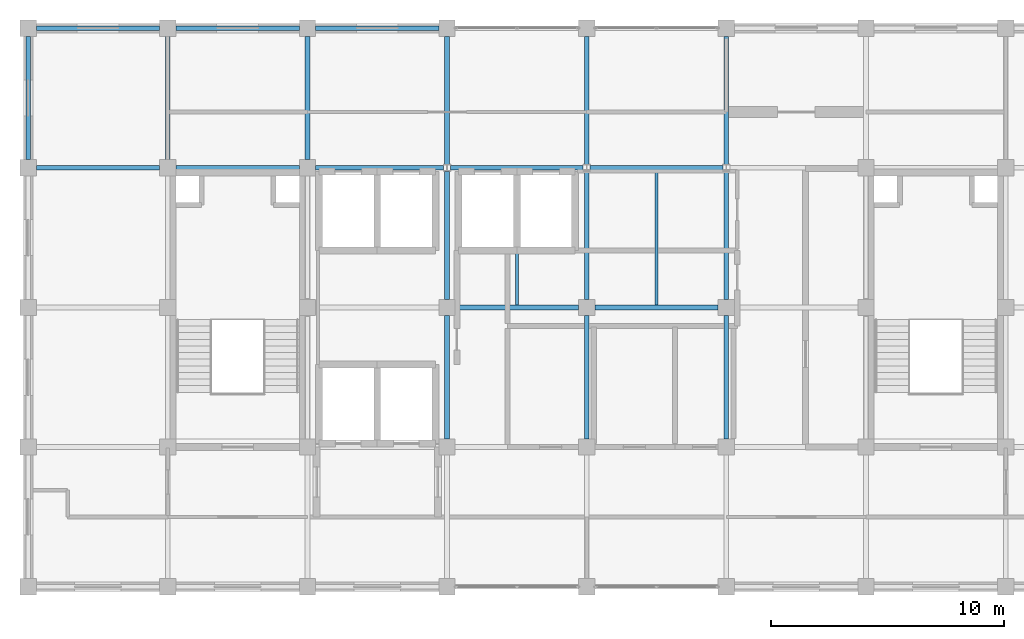
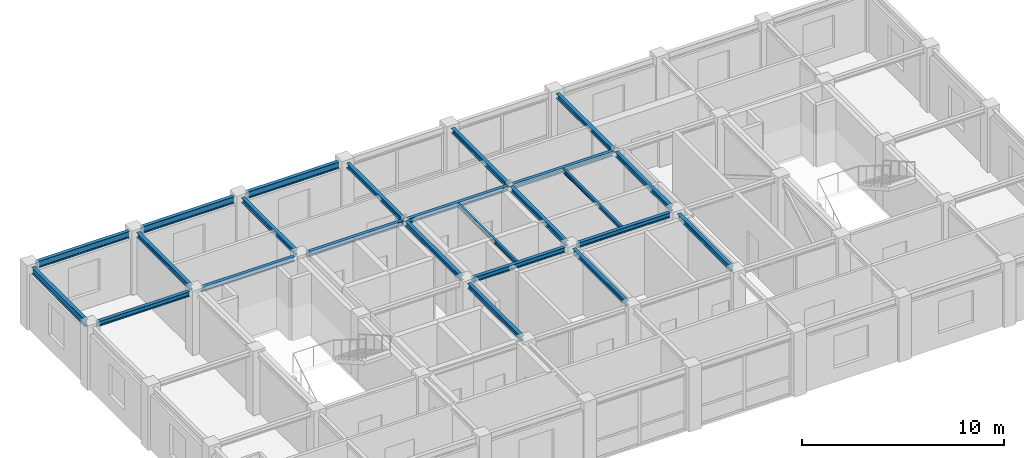
# One storey, part 5 of 11: 24 beams.
"""IFC4 building model written with IfcOpenShell, lengths in metres."""

from ifc_helpers import new_model, si_unit, direction, frame, origin, origin_2d, place, context, subcontext, project, spatial, i_section, extrude, material, material_profile, profile_set, type_object, element, save


model = new_model("IFC4")

# Units and contexts
model_context = context("Model", 3, precision=1e-05, world=origin(), true_north=direction((0.0, 1.0)))
body_context = subcontext(model_context, "Body", "Model", "MODEL_VIEW")
ifc_project = project(units=[si_unit("LENGTHUNIT", "METRE"), si_unit("AREAUNIT", "SQUARE_METRE"), si_unit("VOLUMEUNIT", "CUBIC_METRE"), si_unit("PLANEANGLEUNIT", "RADIAN"), si_unit("MASSUNIT", "GRAM", prefix="KILO")], contexts=[model_context])

# Site, building, storey
site_placement = place(None, origin())
site = spatial("IfcSite", under=ifc_project, at=site_placement, CompositionType="ELEMENT")
building_placement = place(site_placement, origin())
building = spatial("IfcBuilding", under=site, at=building_placement, Name="Zlatovratsky Civic Hall", CompositionType="ELEMENT")
storey_placement = place(building_placement, frame((0.0, 0.0, 56.10009765625)))
storey = spatial("IfcBuildingStorey", under=building, at=storey_placement, Name="L14", CompositionType="ELEMENT", Elevation=56.10009765625)

# Beams
ifc_material = material(Name="Steel S355", Category="steel")
ifc_material_profile_1 = material_profile(ifc_material, i_section(OverallWidth=0.199951171875, OverallDepth=0.39990234375, WebThickness=0.008056640625, FlangeThickness=0.012939453125, FilletRadius=0.014892578125, at=origin_2d()), Name="40B2")
ifc_profile_set_1 = profile_set([ifc_material_profile_1], Name="Steel S355")
beam_type_1 = type_object("IfcBeamType", Name="Beam_Spandrel_40B2", PredefinedType="SPANDREL", material=ifc_profile_set_1)
for number, where, z_axis, x_axis, name in (
    (1, (60.35009765625, 102.0, 3.539794921875), (1.0, 0.0, 0.0), (0.0, 1.0, 0.0), "BM-4995"),
    (2, (66.35009765625, 102.0, 3.539794921875), (1.0, 0.0, 0.0), (0.0, 1.0, 0.0), "BM-4996"),
    (3, (72.35009765625, 102.0, 3.539794921875), (1.0, 0.0, 0.0), (0.0, 1.0, 0.0), "BM-4997"),
    (4, (60.0, 96.35009765625, 3.539794921875), (0.0, 1.0, 0.0), (-1.0, 0.0, 0.0), "BM-5006"),
):
    element("IfcBeam", number, at=place(storey_placement, frame(where, z_axis=z_axis, x_axis=x_axis)), inside=storey, type_object=beam_type_1, Name=name, PredefinedType="SPANDREL", context=body_context, shape_type="SweptSolid", body=[
        extrude(i_section(OverallWidth=0.199951171875, OverallDepth=0.39990234375, WebThickness=0.008056640625, FlangeThickness=0.012939453125, FilletRadius=0.014892578125, at=origin_2d()), origin(), (0.0, 0.0, 1.0), 5.2998046875),
    ])
ifc_material_profile_2 = material_profile(ifc_material, i_section(OverallWidth=0.199951171875, OverallDepth=0.291015625, WebThickness=0.008056640625, FlangeThickness=0.010986328125, FilletRadius=0.01806640625, at=origin_2d()), Name="30Sh1")
ifc_profile_set_2 = profile_set([ifc_material_profile_2], Name="Steel S355")
beam_type_2 = type_object("IfcBeamType", Name="Beam_TowerHigh_30Sh1", PredefinedType="BEAM", material=ifc_profile_set_2)
for number, where, z_axis, x_axis, name in (
    (5, (78.35009765625, 90.0, 3.594482421875), (1.0, 0.0, 0.0), (0.0, 1.0, 0.0), "BM-4983"),
    (6, (84.35009765625, 90.0, 3.594482421875), (1.0, 0.0, 0.0), (0.0, 1.0, 0.0), "BM-4984"),
    (7, (60.35009765625, 96.0, 3.594482421875), (1.0, 0.0, 0.0), (0.0, 1.0, 0.0), "BM-4987"),
    (8, (66.35009765625, 96.0, 3.594482421875), (1.0, 0.0, 0.0), (0.0, 1.0, 0.0), "BM-4988"),
):
    element("IfcBeam", number, at=place(storey_placement, frame(where, z_axis=z_axis, x_axis=x_axis)), inside=storey, type_object=beam_type_2, Name=name, PredefinedType="BEAM", context=body_context, shape_type="SweptSolid", body=[
        extrude(i_section(OverallWidth=0.199951171875, OverallDepth=0.291015625, WebThickness=0.008056640625, FlangeThickness=0.010986328125, FilletRadius=0.01806640625, at=origin_2d()), origin(), (0.0, 0.0, 1.0), 5.2998046875),
    ])
beam_1_placement = place(storey_placement, frame((72.35009765625, 96.0, 3.594482421875), z_axis=(1.0, 0.0, 0.0), x_axis=(0.0, 1.0, 0.0)))
element("IfcBeam", 9, at=beam_1_placement, inside=storey, type_object=beam_type_2, Name="BM-4989", PredefinedType="BEAM", context=body_context, shape_type="SweptSolid", body=[
    extrude(i_section(OverallWidth=0.199951171875, OverallDepth=0.291015625, WebThickness=0.008056640625, FlangeThickness=0.010986328125, FilletRadius=0.01806640625, at=origin_2d()), origin(), (0.0, 0.0, 1.0), 5.5),
])
for number, where, z_axis, x_axis, name in (
    (10, (78.14990234375, 96.0, 3.594482421875), (1.0, 0.0, 0.0), (0.0, 1.0, 0.0), "BM-4990"),
    (11, (84.14990234375, 96.0, 3.594482421875), (1.0, 0.0, 0.0), (0.0, 1.0, 0.0), "BM-4991"),
):
    element("IfcBeam", number, at=place(storey_placement, frame(where, z_axis=z_axis, x_axis=x_axis)), inside=storey, type_object=beam_type_2, Name=name, PredefinedType="BEAM", context=body_context, shape_type="SweptSolid", body=[
        extrude(i_section(OverallWidth=0.199951171875, OverallDepth=0.291015625, WebThickness=0.008056640625, FlangeThickness=0.010986328125, FilletRadius=0.01806640625, at=origin_2d()), origin(), (0.0, 0.0, 1.0), 5.7001953125),
    ])
for number, where, z_axis, x_axis, name in (
    (12, (66.0, 96.35009765625, 3.594482421875), (0.0, 1.0, 0.0), (-1.0, 0.0, 0.0), "BM-5010"),
    (13, (72.0, 96.35009765625, 3.594482421875), (0.0, 1.0, 0.0), (-1.0, 0.0, 0.0), "BM-5014"),
    (14, (78.0, 84.35009765625, 3.594482421875), (0.0, 1.0, 0.0), (-1.0, 0.0, 0.0), "BM-5016"),
):
    element("IfcBeam", number, at=place(storey_placement, frame(where, z_axis=z_axis, x_axis=x_axis)), inside=storey, type_object=beam_type_2, Name=name, PredefinedType="BEAM", context=body_context, shape_type="SweptSolid", body=[
        extrude(i_section(OverallWidth=0.199951171875, OverallDepth=0.291015625, WebThickness=0.008056640625, FlangeThickness=0.010986328125, FilletRadius=0.01806640625, at=origin_2d()), origin(), (0.0, 0.0, 1.0), 5.2998046875),
    ])
for number, where, z_axis, x_axis, name in (
    (15, (78.0, 90.35009765625, 3.594482421875), (0.0, 1.0, 0.0), (-1.0, 0.0, 0.0), "BM-5017"),
    (16, (78.0, 96.14990234375, 3.594482421875), (0.0, 1.0, 0.0), (-1.0, 0.0, 0.0), "BM-5018"),
):
    element("IfcBeam", number, at=place(storey_placement, frame(where, z_axis=z_axis, x_axis=x_axis)), inside=storey, type_object=beam_type_2, Name=name, PredefinedType="BEAM", context=body_context, shape_type="SweptSolid", body=[
        extrude(i_section(OverallWidth=0.199951171875, OverallDepth=0.291015625, WebThickness=0.008056640625, FlangeThickness=0.010986328125, FilletRadius=0.01806640625, at=origin_2d()), origin(), (0.0, 0.0, 1.0), 5.5),
    ])
beam_2_placement = place(storey_placement, frame((84.0, 84.35009765625, 3.594482421875), z_axis=(0.0, 1.0, 0.0), x_axis=(-1.0, 0.0, 0.0)))
element("IfcBeam", 17, at=beam_2_placement, inside=storey, type_object=beam_type_2, Name="BM-5020", PredefinedType="BEAM", context=body_context, shape_type="SweptSolid", body=[
    extrude(i_section(OverallWidth=0.199951171875, OverallDepth=0.291015625, WebThickness=0.008056640625, FlangeThickness=0.010986328125, FilletRadius=0.01806640625, at=origin_2d()), origin(), (0.0, 0.0, 1.0), 5.2998046875),
])
for number, where, z_axis, x_axis, name in (
    (18, (84.0, 90.35009765625, 3.594482421875), (0.0, 1.0, 0.0), (-1.0, 0.0, 0.0), "BM-5021"),
    (19, (84.0, 96.14990234375, 3.594482421875), (0.0, 1.0, 0.0), (-1.0, 0.0, 0.0), "BM-5022"),
):
    element("IfcBeam", number, at=place(storey_placement, frame(where, z_axis=z_axis, x_axis=x_axis)), inside=storey, type_object=beam_type_2, Name=name, PredefinedType="BEAM", context=body_context, shape_type="SweptSolid", body=[
        extrude(i_section(OverallWidth=0.199951171875, OverallDepth=0.291015625, WebThickness=0.008056640625, FlangeThickness=0.010986328125, FilletRadius=0.01806640625, at=origin_2d()), origin(), (0.0, 0.0, 1.0), 5.5),
    ])
beam_3_placement = place(storey_placement, frame((90.0, 84.35009765625, 3.594482421875), z_axis=(0.0, 1.0, 0.0), x_axis=(-1.0, 0.0, 0.0)))
element("IfcBeam", 20, at=beam_3_placement, inside=storey, type_object=beam_type_2, Name="BM-5024", PredefinedType="BEAM", context=body_context, shape_type="SweptSolid", body=[
    extrude(i_section(OverallWidth=0.199951171875, OverallDepth=0.291015625, WebThickness=0.008056640625, FlangeThickness=0.010986328125, FilletRadius=0.01806640625, at=origin_2d()), origin(), (0.0, 0.0, 1.0), 5.2998046875),
])
for number, where, z_axis, x_axis, name in (
    (21, (90.0, 90.35009765625, 3.594482421875), (0.0, 1.0, 0.0), (-1.0, 0.0, 0.0), "BM-5025"),
    (22, (90.0, 96.14990234375, 3.594482421875), (0.0, 1.0, 0.0), (-1.0, 0.0, 0.0), "BM-5026"),
):
    element("IfcBeam", number, at=place(storey_placement, frame(where, z_axis=z_axis, x_axis=x_axis)), inside=storey, type_object=beam_type_2, Name=name, PredefinedType="BEAM", context=body_context, shape_type="SweptSolid", body=[
        extrude(i_section(OverallWidth=0.199951171875, OverallDepth=0.291015625, WebThickness=0.008056640625, FlangeThickness=0.010986328125, FilletRadius=0.01806640625, at=origin_2d()), origin(), (0.0, 0.0, 1.0), 5.5),
    ])
ifc_material_profile_3 = material_profile(ifc_material, i_section(OverallWidth=0.125, OverallDepth=0.25, WebThickness=0.006103515625, FlangeThickness=0.009033203125, FilletRadius=0.011962890625, at=origin_2d()), Name="25B2")
ifc_profile_set_3 = profile_set([ifc_material_profile_3], Name="Steel S355")
beam_type_3 = type_object("IfcBeamType", Name="Joist_Tower_25B2", PredefinedType="JOIST", material=ifc_profile_set_3)
for number, where, z_axis, x_axis, name in (
    (23, (81.0, 90.10009765625, 3.614990234375), (0.0, 1.0, 0.0), (-1.0, 0.0, 0.0), "BM-5039"),
    (24, (87.0, 90.10009765625, 3.614990234375), (0.0, 1.0, 0.0), (-1.0, 0.0, 0.0), "BM-5040"),
):
    element("IfcBeam", number, at=place(storey_placement, frame(where, z_axis=z_axis, x_axis=x_axis)), inside=storey, type_object=beam_type_3, Name=name, PredefinedType="JOIST", context=body_context, shape_type="SweptSolid", body=[
        extrude(i_section(OverallWidth=0.125, OverallDepth=0.25, WebThickness=0.006103515625, FlangeThickness=0.009033203125, FilletRadius=0.011962890625, at=origin_2d()), origin(), (0.0, 0.0, 1.0), 5.7998046875),
    ])

save(model, "model.ifc")
